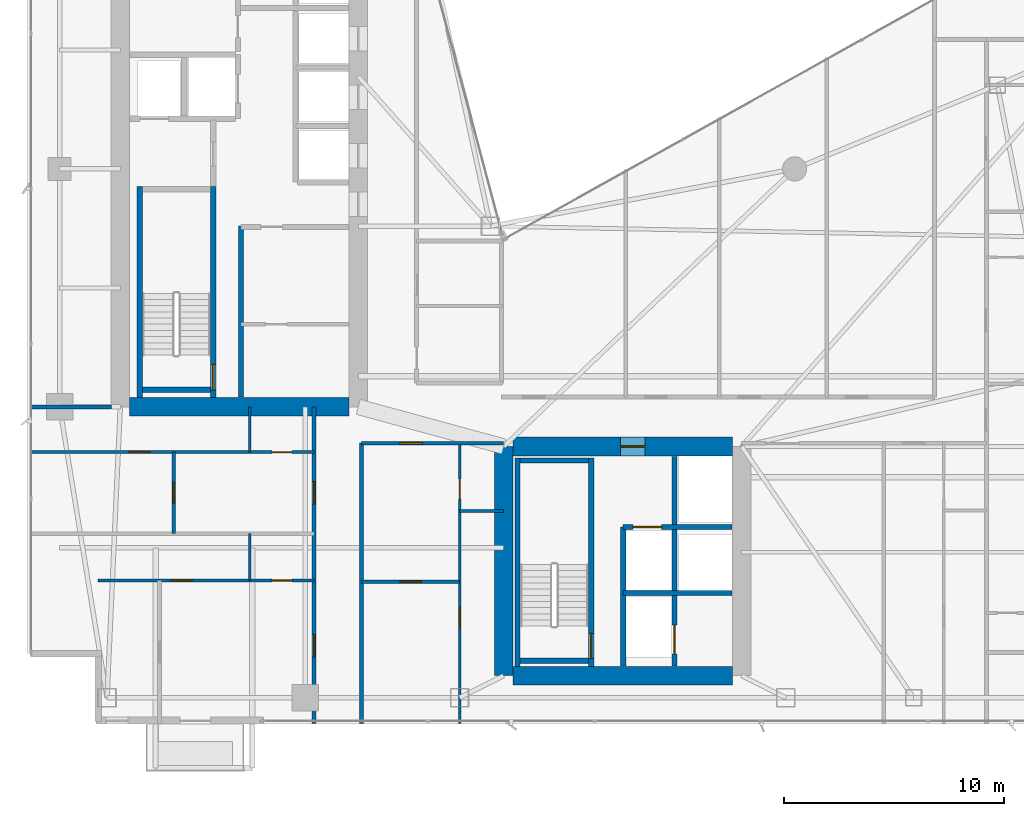
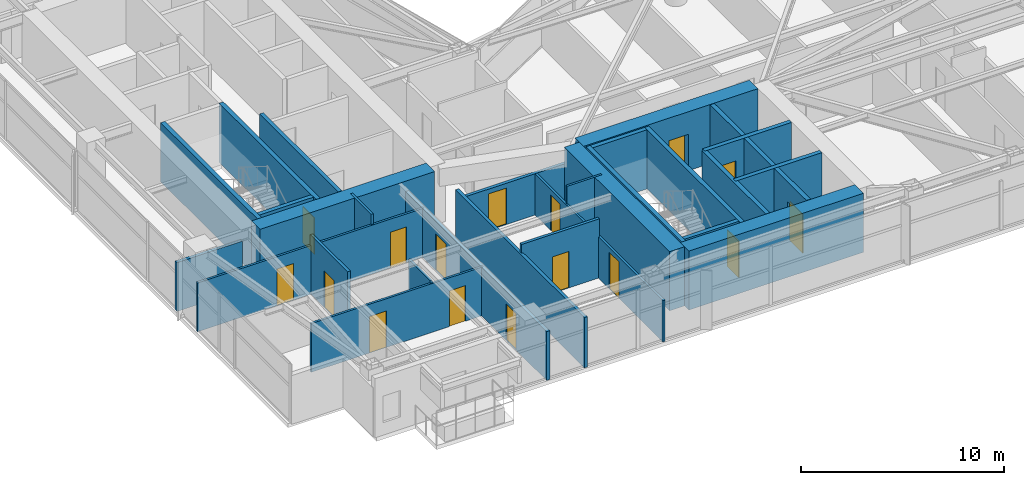
# One storey, part 22 of 29: 28 walls, 16 doors, 16 openings.
"""IFC4 building model written with IfcOpenShell, lengths in metres."""

from ifc_helpers import new_model, si_unit, direction, frame, frame_2d, origin, place, context, subcontext, project, spatial, rectangle, extrude, material, layer, layer_set, type_object, element, fill, save


model = new_model("IFC4")

# Units and contexts
model_context = context("Model", 3, precision=1e-05, world=origin(), true_north=direction((0.0, 1.0)))
body_context = subcontext(model_context, "Body", "Model", "MODEL_VIEW")
ifc_project = project(units=[si_unit("LENGTHUNIT", "METRE"), si_unit("AREAUNIT", "SQUARE_METRE"), si_unit("VOLUMEUNIT", "CUBIC_METRE"), si_unit("PLANEANGLEUNIT", "RADIAN"), si_unit("MASSUNIT", "GRAM", prefix="KILO")], contexts=[model_context])

# Site, building, storey
site_placement = place(None, origin())
site = spatial("IfcSite", under=ifc_project, at=site_placement, CompositionType="ELEMENT")
building_placement = place(site_placement, origin())
building = spatial("IfcBuilding", under=site, at=building_placement, Name="Calvorn Quay Hotel", CompositionType="ELEMENT")
storey_placement = place(building_placement, frame((0.0, 0.0, 148.5)))
storey = spatial("IfcBuildingStorey", under=building, at=storey_placement, Name="L36", CompositionType="ELEMENT", Elevation=148.5)

# Walls
ifc_material_1 = material(Name="Concrete C50", Category="concrete")
ifc_layer_1 = layer(ifc_material_1, 0.85009765625)
ifc_layer_set_1 = layer_set([ifc_layer_1], Name="WL-CORE-850")
wall_type_1 = type_object("IfcWallType", Name="WL-CORE-850", PredefinedType="SHEAR", material=ifc_layer_set_1)
wall_1_placement = place(storey_placement, frame((4.625, 16.800048828125, 0.0), z_axis=(0.0, 0.0, 1.0), x_axis=(1.0, 0.0, 0.0)))
element("IfcWall", 1, at=wall_1_placement, inside=storey, type_object=wall_type_1, Name="West Core Shear Wall S (L36)", PredefinedType="SHEAR", context=body_context, shape_type="SweptSolid", body=[
    extrude(rectangle(XDim=9.949951171875, YDim=0.85009765625, at=frame_2d((4.97509765625, 0.0))), origin(), (0.0, 0.0, 1.0), 3.56005859375),
])
wall_2_placement = place(storey_placement, frame((21.60009765625, 4.60009765625, 0.0), z_axis=(0.0, 0.0, 1.0), x_axis=(0.0, 1.0, 0.0)))
element("IfcWall", 2, at=wall_2_placement, inside=storey, type_object=wall_type_1, Name="East Core Shear Wall W (L36)", PredefinedType="SHEAR", context=body_context, shape_type="SweptSolid", body=[
    extrude(rectangle(XDim=10.39990234375, YDim=0.85009765625, at=frame_2d((5.199951171875, 0.0))), origin(), (0.0, 0.0, 1.0), 3.56005859375),
])

# Wall, opening, door
wall_3_placement = place(storey_placement, frame((22.02490234375, 15.0, 0.0), z_axis=(0.0, 0.0, 1.0), x_axis=(1.0, 0.0, 0.0)))
wall_3 = element("IfcWall", 3, at=wall_3_placement, inside=storey, type_object=wall_type_1, Name="East Core Shear Wall N (L36)", PredefinedType="SHEAR", context=body_context, shape_type="SweptSolid", body=[
    extrude(rectangle(XDim=9.9501953125, YDim=0.85009765625, at=frame_2d((4.97509765625, 0.0))), origin(), (0.0, 0.0, 1.0), 3.56005859375),
])
opening_1_placement = place(wall_3_placement, frame((4.8798828125, 0.0, 0.0)))
opening_1 = element("IfcOpeningElement", 4, at=opening_1_placement, cuts=wall_3, Name="Opening D-L36-FLE", PredefinedType="OPENING", context=body_context, shape_type="SweptSolid", body=[
    extrude(rectangle(XDim=1.10009765625, YDim=2.199951171875, at=frame_2d((0.550048828125, 1.10009765625))), frame((0.0, 0.43505859375, 0.0), z_axis=(0.0, -1.0, 0.0), x_axis=(1.0, 0.0, 0.0)), (0.0, 0.0, 1.0), 0.8701171875),
])
ifc_material_2 = material(Name="Smoke-Sealed Steel Class A Fire Door", Category="steel")
door_type_1 = type_object("IfcDoorType", Name="DR-FFLOBBY-1100", OperationType="NOTDEFINED", PredefinedType="DOOR", material=ifc_material_2)
door_1_placement = place(opening_1_placement, origin())
door_1 = element("IfcDoor", 5, at=door_1_placement, inside=storey, type_object=door_type_1, Name="East Firefighting Lobby Fire Door (L36)", OperationType="SINGLE_SWING_RIGHT", OverallHeight=2.199951171875, OverallWidth=1.10009765625, PredefinedType="DOOR", context=body_context, shape_type="SweptSolid", body=[
    extrude(rectangle(XDim=1.10009765625, YDim=2.199951171875, at=frame_2d((0.550048828125, 1.10009765625))), frame((0.0, 0.02490234375, 0.0), z_axis=(0.0, -1.0, 0.0), x_axis=(1.0, 0.0, 0.0)), (0.0, 0.0, 1.0), 0.050048828125),
])
fill(opening_1, door_1)

# Walls
wall_4_placement = place(storey_placement, frame((22.02490234375, 4.60009765625, 0.0), z_axis=(0.0, 0.0, 1.0), x_axis=(1.0, 0.0, 0.0)))
element("IfcWall", 6, at=wall_4_placement, inside=storey, type_object=wall_type_1, Name="East Core Shear Wall S (L36)", PredefinedType="SHEAR", context=body_context, shape_type="SweptSolid", body=[
    extrude(rectangle(XDim=9.9501953125, YDim=0.85009765625, at=frame_2d((4.97509765625, 0.0))), origin(), (0.0, 0.0, 1.0), 3.56005859375),
])
ifc_material_3 = material(Name="Acoustic Fireboard Steel-Stud Partition", Category="steel")
ifc_layer_2 = layer(ifc_material_3, 0.179931640625)
ifc_layer_set_2 = layer_set([ifc_layer_2], Name="WL-CORR-FIRE-180")
wall_type_2 = type_object("IfcWallType", Name="WL-CORR-FIRE-180", PredefinedType="PARTITIONING", material=ifc_layer_set_2)
wall_5_placement = place(storey_placement, frame((0.080078125, 16.800048828125, 0.0), z_axis=(0.0, 0.0, 1.0), x_axis=(1.0, 0.0, 0.0)))
element("IfcWall", 7, at=wall_5_placement, inside=storey, type_object=wall_type_2, Name="Partition Wall L36-WL-WBAY-S-WALL", PredefinedType="PARTITIONING", context=body_context, shape_type="SweptSolid", body=[
    extrude(rectangle(XDim=3.724853515625, YDim=0.179931640625, at=frame_2d((1.8623046875, 0.0))), origin(), (0.0, 0.0, 1.0), 2.93994140625),
])

# Wall, openings, doors
wall_6_placement = place(storey_placement, frame((13.0, 2.43994140625, 0.0), z_axis=(0.0, 0.0, 1.0), x_axis=(0.0, 1.0, 0.0)))
wall_6 = element("IfcWall", 8, at=wall_6_placement, inside=storey, type_object=wall_type_2, Name="Partition Wall L36-WL-CORR-SW-LEG-W", PredefinedType="PARTITIONING", context=body_context, shape_type="SweptSolid", body=[
    extrude(rectangle(XDim=14.360107421875, YDim=0.179931640625, at=frame_2d((7.18017578125, 0.0))), origin(), (0.0, 0.0, 1.0), 2.93994140625),
])
opening_2_placement = place(wall_6_placement, frame((3.010009765625, 0.0, 0.0)))
opening_2 = element("IfcOpeningElement", 9, at=opening_2_placement, cuts=wall_6, Name="Opening D-L36-U01", PredefinedType="OPENING", context=body_context, shape_type="SweptSolid", body=[
    extrude(rectangle(XDim=1.02001953125, YDim=2.199951171875, at=frame_2d((0.510009765625, 1.10009765625))), frame((0.0, 0.099853515625, 0.0), z_axis=(0.0, -1.0, 0.0), x_axis=(1.0, 0.0, 0.0)), (0.0, 0.0, 1.0), 0.199951171875),
])
opening_3_placement = place(wall_6_placement, frame((9.949951171875, 0.0, 0.0)))
opening_3 = element("IfcOpeningElement", 10, at=opening_3_placement, cuts=wall_6, Name="Opening D-L36-U02", PredefinedType="OPENING", context=body_context, shape_type="SweptSolid", body=[
    extrude(rectangle(XDim=1.02001953125, YDim=2.199951171875, at=frame_2d((0.510009765625, 1.10009765625))), frame((0.0, 0.099853515625, 0.0), z_axis=(0.0, -1.0, 0.0), x_axis=(1.0, 0.0, 0.0)), (0.0, 0.0, 1.0), 0.199951171875),
])
ifc_material_4 = material(Name="Solid-Core Walnut Veneer Hotel Fire Door")
door_type_2 = type_object("IfcDoorType", Name="DR-GUEST-ENTRY-1020", OperationType="NOTDEFINED", PredefinedType="DOOR", material=ifc_material_4)
door_2_placement = place(opening_2_placement, origin())
door_2 = element("IfcDoor", 11, at=door_2_placement, inside=storey, type_object=door_type_2, Name="South-West Unit Door U01 (L36)", OperationType="SINGLE_SWING_LEFT", OverallHeight=2.199951171875, OverallWidth=1.02001953125, PredefinedType="DOOR", context=body_context, shape_type="SweptSolid", body=[
    extrude(rectangle(XDim=1.02001953125, YDim=2.199951171875, at=frame_2d((0.510009765625, 1.10009765625))), frame((0.0, 0.02490234375, 0.0), z_axis=(0.0, -1.0, 0.0), x_axis=(1.0, 0.0, 0.0)), (0.0, 0.0, 1.0), 0.050048828125),
])
fill(opening_2, door_2)
door_3_placement = place(opening_3_placement, origin())
door_3 = element("IfcDoor", 12, at=door_3_placement, inside=storey, type_object=door_type_2, Name="South-West Unit Door U02 (L36)", OperationType="SINGLE_SWING_RIGHT", OverallHeight=2.199951171875, OverallWidth=1.02001953125, PredefinedType="DOOR", context=body_context, shape_type="SweptSolid", body=[
    extrude(rectangle(XDim=1.02001953125, YDim=2.199951171875, at=frame_2d((0.510009765625, 1.10009765625))), frame((0.0, 0.02490234375, 0.0), z_axis=(0.0, -1.0, 0.0), x_axis=(1.0, 0.0, 0.0)), (0.0, 0.0, 1.0), 0.050048828125),
])
fill(opening_3, door_3)

# Wall
wall_7_placement = place(storey_placement, frame((15.14990234375, 2.43994140625, 0.0), z_axis=(0.0, 0.0, 1.0), x_axis=(0.0, 1.0, 0.0)))
element("IfcWall", 13, at=wall_7_placement, inside=storey, type_object=wall_type_2, Name="Partition Wall L36-WL-CORR-SW-W", PredefinedType="PARTITIONING", context=body_context, shape_type="SweptSolid", body=[
    extrude(rectangle(XDim=12.7099609375, YDim=0.179931640625, at=frame_2d((6.35498046875, 0.0))), origin(), (0.0, 0.0, 1.0), 3.0400390625),
])

# Wall, opening, door
wall_8_placement = place(storey_placement, frame((15.14990234375, 15.14990234375, 0.0), z_axis=(0.0, 0.0, 1.0), x_axis=(1.0, 0.0, 0.0)))
wall_8 = element("IfcWall", 14, at=wall_8_placement, inside=storey, type_object=wall_type_2, Name="Partition Wall L36-WL-SC-CORR-S", PredefinedType="PARTITIONING", context=body_context, shape_type="SweptSolid", body=[
    extrude(rectangle(XDim=6.4501953125, YDim=0.179931640625, at=frame_2d((3.22509765625, 0.0))), origin(), (0.0, 0.0, 1.0), 2.489990234375),
])
opening_4_placement = place(wall_8_placement, frame((1.739990234375, 0.0, 0.0)))
opening_4 = element("IfcOpeningElement", 15, at=opening_4_placement, cuts=wall_8, Name="Opening D-L36-U03", PredefinedType="OPENING", context=body_context, shape_type="SweptSolid", body=[
    extrude(rectangle(XDim=1.02001953125, YDim=2.199951171875, at=frame_2d((0.510009765625, 1.10009765625))), frame((0.0, 0.099853515625, 0.0), z_axis=(0.0, -1.0, 0.0), x_axis=(1.0, 0.0, 0.0)), (0.0, 0.0, 1.0), 0.199951171875),
])
door_4_placement = place(opening_4_placement, origin())
door_4 = element("IfcDoor", 16, at=door_4_placement, inside=storey, type_object=door_type_2, Name="Harbour Central Unit Door (L36)", OperationType="SINGLE_SWING_LEFT", OverallHeight=2.199951171875, OverallWidth=1.02001953125, PredefinedType="DOOR", context=body_context, shape_type="SweptSolid", body=[
    extrude(rectangle(XDim=1.02001953125, YDim=2.199951171875, at=frame_2d((0.510009765625, 1.10009765625))), frame((0.0, 0.02490234375, 0.0), z_axis=(0.0, -1.0, 0.0), x_axis=(1.0, 0.0, 0.0)), (0.0, 0.0, 1.0), 0.050048828125),
])
fill(opening_4, door_4)

# Wall
ifc_material_5 = material(Name="Moisture-Resistant Tile-Backed Partition")
ifc_layer_3 = layer(ifc_material_5, 0.125)
ifc_layer_set_3 = layer_set([ifc_layer_3], Name="WL-ENSUITE-125")
wall_type_3 = type_object("IfcWallType", Name="WL-ENSUITE-125", PredefinedType="PARTITIONING", material=ifc_layer_set_3)
wall_9_placement = place(storey_placement, frame((10.080078125, 8.919921875, 0.0), z_axis=(0.0, 0.0, 1.0), x_axis=(0.0, 1.0, 0.0)))
element("IfcWall", 17, at=wall_9_placement, inside=storey, type_object=wall_type_3, Name="Partition Wall L36-WL-U01-BDV", PredefinedType="PARTITIONING", context=body_context, shape_type="SweptSolid", body=[
    extrude(rectangle(XDim=2.130126953125, YDim=0.125, at=frame_2d((1.06494140625, 0.0))), origin(), (0.0, 0.0, 1.0), 3.090087890625),
])

# Wall, openings, doors
wall_10_placement = place(storey_placement, frame((3.199951171875, 8.919921875, 0.0), z_axis=(0.0, 0.0, 1.0), x_axis=(1.0, 0.0, 0.0)))
wall_10 = element("IfcWall", 18, at=wall_10_placement, inside=storey, type_object=wall_type_3, Name="Partition Wall L36-WL-U01-BH", PredefinedType="PARTITIONING", context=body_context, shape_type="SweptSolid", body=[
    extrude(rectangle(XDim=9.800048828125, YDim=0.125, at=frame_2d((4.89990234375, 0.0))), origin(), (0.0, 0.0, 1.0), 2.93994140625),
])
opening_5_placement = place(wall_10_placement, frame((3.320068359375, 0.0, 0.0)))
opening_5 = element("IfcOpeningElement", 19, at=opening_5_placement, cuts=wall_10, Name="Opening D-L36-S01", PredefinedType="OPENING", context=body_context, shape_type="SweptSolid", body=[
    extrude(rectangle(XDim=0.9599609375, YDim=2.199951171875, at=frame_2d((0.47998046875, 1.10009765625))), frame((0.0, 0.072509765625, 0.0), z_axis=(0.0, -1.0, 0.0), x_axis=(1.0, 0.0, 0.0)), (0.0, 0.0, 1.0), 0.14501953125),
])
opening_6_placement = place(wall_10_placement, frame((7.889892578125, 0.0, 0.0)))
opening_6 = element("IfcOpeningElement", 20, at=opening_6_placement, cuts=wall_10, Name="Opening D-L36-E01", PredefinedType="OPENING", context=body_context, shape_type="SweptSolid", body=[
    extrude(rectangle(XDim=0.89990234375, YDim=2.14990234375, at=frame_2d((0.449951171875, 1.074951171875))), frame((0.0, 0.072509765625, 0.0), z_axis=(0.0, -1.0, 0.0), x_axis=(1.0, 0.0, 0.0)), (0.0, 0.0, 1.0), 0.14501953125),
])
ifc_material_6 = material(Name="Moisture-Sealed Timber En-Suite Door", Category="wood")
door_type_3 = type_object("IfcDoorType", Name="DR-ENSUITE-900", OperationType="NOTDEFINED", PredefinedType="DOOR", material=ifc_material_6)
door_5_placement = place(opening_6_placement, origin())
door_5 = element("IfcDoor", 21, at=door_5_placement, inside=storey, type_object=door_type_3, Name="En-Suite Door 01", OperationType="SINGLE_SWING_RIGHT", OverallHeight=2.14990234375, OverallWidth=0.89990234375, PredefinedType="DOOR", context=body_context, shape_type="SweptSolid", body=[
    extrude(rectangle(XDim=0.89990234375, YDim=2.14990234375, at=frame_2d((0.449951171875, 1.074951171875))), frame((0.0, 0.02490234375, 0.0), z_axis=(0.0, -1.0, 0.0), x_axis=(1.0, 0.0, 0.0)), (0.0, 0.0, 1.0), 0.050048828125),
])
fill(opening_6, door_5)
ifc_material_7 = material(Name="Solid Timber Internal Suite Door", Category="wood")
door_type_4 = type_object("IfcDoorType", Name="DR-SUITE-INT-960", OperationType="NOTDEFINED", PredefinedType="DOOR", material=ifc_material_7)
door_6_placement = place(opening_5_placement, origin())
door_6 = element("IfcDoor", 22, at=door_6_placement, inside=storey, type_object=door_type_4, Name="Private Executive Study Door 01", OperationType="SINGLE_SWING_LEFT", OverallHeight=2.199951171875, OverallWidth=0.9599609375, PredefinedType="DOOR", context=body_context, shape_type="SweptSolid", body=[
    extrude(rectangle(XDim=0.9599609375, YDim=2.199951171875, at=frame_2d((0.47998046875, 1.10009765625))), frame((0.0, 0.02490234375, 0.0), z_axis=(0.0, -1.0, 0.0), x_axis=(1.0, 0.0, 0.0)), (0.0, 0.0, 1.0), 0.050048828125),
])
fill(opening_5, door_6)

# Wall
wall_11_placement = place(storey_placement, frame((10.080078125, 14.75, 0.0), z_axis=(0.0, 0.0, 1.0), x_axis=(0.0, 1.0, 0.0)))
element("IfcWall", 23, at=wall_11_placement, inside=storey, type_object=wall_type_3, Name="Partition Wall L36-WL-U02-BDV", PredefinedType="PARTITIONING", context=body_context, shape_type="SweptSolid", body=[
    extrude(rectangle(XDim=2.050048828125, YDim=0.125, at=frame_2d((1.02490234375, 0.0))), origin(), (0.0, 0.0, 1.0), 3.56005859375),
])

# Wall, openings, doors
wall_12_placement = place(storey_placement, frame((0.080078125, 14.75, 0.0), z_axis=(0.0, 0.0, 1.0), x_axis=(1.0, 0.0, 0.0)))
wall_12 = element("IfcWall", 24, at=wall_12_placement, inside=storey, type_object=wall_type_3, Name="Partition Wall L36-WL-U02-BH", PredefinedType="PARTITIONING", context=body_context, shape_type="SweptSolid", body=[
    extrude(rectangle(XDim=12.919921875, YDim=0.125, at=frame_2d((6.4599609375, 0.0))), origin(), (0.0, 0.0, 1.0), 2.93994140625),
])
opening_7_placement = place(wall_12_placement, frame((4.52001953125, 0.0, 0.0)))
opening_7 = element("IfcOpeningElement", 25, at=opening_7_placement, cuts=wall_12, Name="Opening D-L36-S02", PredefinedType="OPENING", context=body_context, shape_type="SweptSolid", body=[
    extrude(rectangle(XDim=0.9599609375, YDim=2.199951171875, at=frame_2d((0.47998046875, 1.10009765625))), frame((0.0, 0.072509765625, 0.0), z_axis=(0.0, -1.0, 0.0), x_axis=(1.0, 0.0, 0.0)), (0.0, 0.0, 1.0), 0.14501953125),
])
opening_8_placement = place(wall_12_placement, frame((11.010009765625, 0.0, 0.0)))
opening_8 = element("IfcOpeningElement", 26, at=opening_8_placement, cuts=wall_12, Name="Opening D-L36-E02", PredefinedType="OPENING", context=body_context, shape_type="SweptSolid", body=[
    extrude(rectangle(XDim=0.89990234375, YDim=2.14990234375, at=frame_2d((0.449951171875, 1.074951171875))), frame((0.0, 0.072509765625, 0.0), z_axis=(0.0, -1.0, 0.0), x_axis=(1.0, 0.0, 0.0)), (0.0, 0.0, 1.0), 0.14501953125),
])
door_7_placement = place(opening_8_placement, origin())
door_7 = element("IfcDoor", 27, at=door_7_placement, inside=storey, type_object=door_type_3, Name="En-Suite Door 02", OperationType="SINGLE_SWING_RIGHT", OverallHeight=2.14990234375, OverallWidth=0.89990234375, PredefinedType="DOOR", context=body_context, shape_type="SweptSolid", body=[
    extrude(rectangle(XDim=0.89990234375, YDim=2.14990234375, at=frame_2d((0.449951171875, 1.074951171875))), frame((0.0, 0.02490234375, 0.0), z_axis=(0.0, -1.0, 0.0), x_axis=(1.0, 0.0, 0.0)), (0.0, 0.0, 1.0), 0.050048828125),
])
fill(opening_8, door_7)
door_8_placement = place(opening_7_placement, origin())
door_8 = element("IfcDoor", 28, at=door_8_placement, inside=storey, type_object=door_type_4, Name="Private Executive Study Door 02", OperationType="SINGLE_SWING_LEFT", OverallHeight=2.199951171875, OverallWidth=0.9599609375, PredefinedType="DOOR", context=body_context, shape_type="SweptSolid", body=[
    extrude(rectangle(XDim=0.9599609375, YDim=2.199951171875, at=frame_2d((0.47998046875, 1.10009765625))), frame((0.0, 0.02490234375, 0.0), z_axis=(0.0, -1.0, 0.0), x_axis=(1.0, 0.0, 0.0)), (0.0, 0.0, 1.0), 0.050048828125),
])
fill(opening_7, door_8)

# Wall
wall_13_placement = place(storey_placement, frame((19.60009765625, 12.070068359375, 0.0), z_axis=(0.0, 0.0, 1.0), x_axis=(1.0, 0.0, 0.0)))
element("IfcWall", 29, at=wall_13_placement, inside=storey, type_object=wall_type_3, Name="Partition Wall L36-WL-U03-BDV", PredefinedType="PARTITIONING", context=body_context, shape_type="SweptSolid", body=[
    extrude(rectangle(XDim=2.0, YDim=0.125, at=frame_2d((1.0, 0.0))), origin(), (0.0, 0.0, 1.0), 3.56005859375),
])

# Wall, openings, doors
wall_14_placement = place(storey_placement, frame((19.60009765625, 2.43994140625, 0.0), z_axis=(0.0, 0.0, 1.0), x_axis=(0.0, 1.0, 0.0)))
wall_14 = element("IfcWall", 30, at=wall_14_placement, inside=storey, type_object=wall_type_3, Name="Partition Wall L36-WL-U03-BV", PredefinedType="PARTITIONING", context=body_context, shape_type="SweptSolid", body=[
    extrude(rectangle(XDim=12.7099609375, YDim=0.125, at=frame_2d((6.35498046875, 0.0))), origin(), (0.0, 0.0, 1.0), 2.489990234375),
])
opening_9_placement = place(wall_14_placement, frame((4.340087890625, 0.0, 0.0)))
opening_9 = element("IfcOpeningElement", 31, at=opening_9_placement, cuts=wall_14, Name="Opening D-L36-S03", PredefinedType="OPENING", context=body_context, shape_type="SweptSolid", body=[
    extrude(rectangle(XDim=0.9599609375, YDim=2.199951171875, at=frame_2d((0.47998046875, 1.10009765625))), frame((0.0, 0.072509765625, 0.0), z_axis=(0.0, -1.0, 0.0), x_axis=(1.0, 0.0, 0.0)), (0.0, 0.0, 1.0), 0.14501953125),
])
opening_10_placement = place(wall_14_placement, frame((10.179931640625, 0.0, 0.0)))
opening_10 = element("IfcOpeningElement", 32, at=opening_10_placement, cuts=wall_14, Name="Opening D-L36-E03", PredefinedType="OPENING", context=body_context, shape_type="SweptSolid", body=[
    extrude(rectangle(XDim=0.89990234375, YDim=2.14990234375, at=frame_2d((0.449951171875, 1.074951171875))), frame((0.0, 0.072509765625, 0.0), z_axis=(0.0, -1.0, 0.0), x_axis=(1.0, 0.0, 0.0)), (0.0, 0.0, 1.0), 0.14501953125),
])
door_9_placement = place(opening_10_placement, origin())
door_9 = element("IfcDoor", 33, at=door_9_placement, inside=storey, type_object=door_type_3, Name="En-Suite Door 03", OperationType="SINGLE_SWING_RIGHT", OverallHeight=2.14990234375, OverallWidth=0.89990234375, PredefinedType="DOOR", context=body_context, shape_type="SweptSolid", body=[
    extrude(rectangle(XDim=0.89990234375, YDim=2.14990234375, at=frame_2d((0.449951171875, 1.074951171875))), frame((0.0, 0.02490234375, 0.0), z_axis=(0.0, -1.0, 0.0), x_axis=(1.0, 0.0, 0.0)), (0.0, 0.0, 1.0), 0.050048828125),
])
fill(opening_10, door_9)
door_10_placement = place(opening_9_placement, origin())
door_10 = element("IfcDoor", 34, at=door_10_placement, inside=storey, type_object=door_type_4, Name="Private Executive Study Door 03", OperationType="SINGLE_SWING_LEFT", OverallHeight=2.199951171875, OverallWidth=0.9599609375, PredefinedType="DOOR", context=body_context, shape_type="SweptSolid", body=[
    extrude(rectangle(XDim=0.9599609375, YDim=2.199951171875, at=frame_2d((0.47998046875, 1.10009765625))), frame((0.0, 0.02490234375, 0.0), z_axis=(0.0, -1.0, 0.0), x_axis=(1.0, 0.0, 0.0)), (0.0, 0.0, 1.0), 0.050048828125),
])
fill(opening_9, door_10)

# Wall, opening, door
ifc_material_8 = material(Name="Double-Stud Acoustic Gypsum Partition")
ifc_layer_4 = layer(ifc_material_8, 0.159912109375)
ifc_layer_set_4 = layer_set([ifc_layer_4], Name="WL-INTERSUITE-160")
wall_type_4 = type_object("IfcWallType", Name="WL-INTERSUITE-160", PredefinedType="PARTITIONING", material=ifc_layer_set_4)
wall_15_placement = place(storey_placement, frame((6.6201171875, 11.050048828125, 0.0), z_axis=(0.0, 0.0, 1.0), x_axis=(0.0, 1.0, 0.0)))
wall_15 = element("IfcWall", 35, at=wall_15_placement, inside=storey, type_object=wall_type_4, Name="Partition Wall L36-WL-U02-MSP", PredefinedType="PARTITIONING", context=body_context, shape_type="SweptSolid", body=[
    extrude(rectangle(XDim=3.699951171875, YDim=0.159912109375, at=frame_2d((1.85009765625, 0.0))), origin(), (0.0, 0.0, 1.0), 3.56005859375),
])
opening_11_placement = place(wall_15_placement, frame((1.3701171875, 0.0, 0.0)))
opening_11 = element("IfcOpeningElement", 36, at=opening_11_placement, cuts=wall_15, Name="Opening D-L36-M02", PredefinedType="OPENING", context=body_context, shape_type="SweptSolid", body=[
    extrude(rectangle(XDim=0.9599609375, YDim=2.199951171875, at=frame_2d((0.47998046875, 1.10009765625))), frame((0.0, 0.08984375, 0.0), z_axis=(0.0, -1.0, 0.0), x_axis=(1.0, 0.0, 0.0)), (0.0, 0.0, 1.0), 0.179931640625),
])
door_11_placement = place(opening_11_placement, origin())
door_11 = element("IfcDoor", 37, at=door_11_placement, inside=storey, type_object=door_type_4, Name="Suite Bedroom Door 02", OperationType="SINGLE_SWING_LEFT", OverallHeight=2.199951171875, OverallWidth=0.9599609375, PredefinedType="DOOR", context=body_context, shape_type="SweptSolid", body=[
    extrude(rectangle(XDim=0.9599609375, YDim=2.199951171875, at=frame_2d((0.47998046875, 1.10009765625))), frame((0.0, 0.02490234375, 0.0), z_axis=(0.0, -1.0, 0.0), x_axis=(1.0, 0.0, 0.0)), (0.0, 0.0, 1.0), 0.050048828125),
])
fill(opening_11, door_11)

wall_16_placement = place(storey_placement, frame((15.14990234375, 8.8701171875, 0.0), z_axis=(0.0, 0.0, 1.0), x_axis=(1.0, 0.0, 0.0)))
wall_16 = element("IfcWall", 38, at=wall_16_placement, inside=storey, type_object=wall_type_4, Name="Partition Wall L36-WL-U03-MSP", PredefinedType="PARTITIONING", context=body_context, shape_type="SweptSolid", body=[
    extrude(rectangle(XDim=4.4501953125, YDim=0.159912109375, at=frame_2d((2.22509765625, 0.0))), origin(), (0.0, 0.0, 1.0), 3.56005859375),
])
opening_12_placement = place(wall_16_placement, frame((1.75, 0.0, 0.0)))
opening_12 = element("IfcOpeningElement", 39, at=opening_12_placement, cuts=wall_16, Name="Opening D-L36-M03", PredefinedType="OPENING", context=body_context, shape_type="SweptSolid", body=[
    extrude(rectangle(XDim=0.9599609375, YDim=2.199951171875, at=frame_2d((0.47998046875, 1.10009765625))), frame((0.0, 0.08984375, 0.0), z_axis=(0.0, -1.0, 0.0), x_axis=(1.0, 0.0, 0.0)), (0.0, 0.0, 1.0), 0.179931640625),
])
door_12_placement = place(opening_12_placement, origin())
door_12 = element("IfcDoor", 40, at=door_12_placement, inside=storey, type_object=door_type_4, Name="Suite Bedroom Door 03", OperationType="SINGLE_SWING_LEFT", OverallHeight=2.199951171875, OverallWidth=0.9599609375, PredefinedType="DOOR", context=body_context, shape_type="SweptSolid", body=[
    extrude(rectangle(XDim=0.9599609375, YDim=2.199951171875, at=frame_2d((0.47998046875, 1.10009765625))), frame((0.0, 0.02490234375, 0.0), z_axis=(0.0, -1.0, 0.0), x_axis=(1.0, 0.0, 0.0)), (0.0, 0.0, 1.0), 0.050048828125),
])
fill(opening_12, door_12)

# Walls
ifc_material_9 = material(Name="Autoclaved Aerated Masonry Block", Category="masonry")
ifc_layer_5 = layer(ifc_material_9, 0.219970703125)
ifc_layer_set_5 = layer_set([ifc_layer_5], Name="WL-LOBBY-FIRE-220")
wall_type_5 = type_object("IfcWallType", Name="WL-LOBBY-FIRE-220", PredefinedType="SOLIDWALL", material=ifc_layer_set_5)
wall_17_placement = place(storey_placement, frame((9.679931640625, 17.2451171875, 0.0), z_axis=(0.0, 0.0, 1.0), x_axis=(0.0, 1.0, 0.0)))
element("IfcWall", 41, at=wall_17_placement, inside=storey, type_object=wall_type_5, Name="Partition Wall L36-WL-CWW-STW-HALL-E", PredefinedType="SOLIDWALL", context=body_context, shape_type="SweptSolid", body=[
    extrude(rectangle(XDim=7.7548828125, YDim=0.219970703125, at=frame_2d((3.87744140625, 0.0))), origin(), (0.0, 0.0, 1.0), 3.56005859375),
])
ifc_material_10 = material(Name="Concrete C40", Category="concrete")
ifc_layer_6 = layer(ifc_material_10, 0.239990234375)
ifc_layer_set_6 = layer_set([ifc_layer_6], Name="WL-SHAFT-240")
wall_type_6 = type_object("IfcWallType", Name="WL-SHAFT-240", PredefinedType="SOLIDWALL", material=ifc_layer_set_6)
wall_18_placement = place(storey_placement, frame((5.080078125, 17.22509765625, 0.0), z_axis=(0.0, 0.0, 1.0), x_axis=(0.0, 1.0, 0.0)))
element("IfcWall", 42, at=wall_18_placement, inside=storey, type_object=wall_type_6, Name="Stair STW Shaft Wall W (L36)", PredefinedType="SOLIDWALL", context=body_context, shape_type="SweptSolid", body=[
    extrude(rectangle(XDim=9.56494140625, YDim=0.239990234375, at=frame_2d((4.782470703125, 0.0))), origin(), (0.0, 0.0, 1.0), 3.56005859375),
])

# Wall, opening, door
wall_19_placement = place(storey_placement, frame((8.419921875, 17.22509765625, 0.0), z_axis=(0.0, 0.0, 1.0), x_axis=(0.0, 1.0, 0.0)))
wall_19 = element("IfcWall", 43, at=wall_19_placement, inside=storey, type_object=wall_type_6, Name="Stair STW Shaft Wall E (L36)", PredefinedType="SOLIDWALL", context=body_context, shape_type="SweptSolid", body=[
    extrude(rectangle(XDim=9.56494140625, YDim=0.239990234375, at=frame_2d((4.782470703125, 0.0))), origin(), (0.0, 0.0, 1.0), 3.56005859375),
])
opening_13_placement = place(wall_19_placement, frame((0.35009765625, 0.0, 0.0)))
opening_13 = element("IfcOpeningElement", 44, at=opening_13_placement, cuts=wall_19, Name="Opening D-L36-STW", PredefinedType="OPENING", context=body_context, shape_type="SweptSolid", body=[
    extrude(rectangle(XDim=1.14990234375, YDim=2.199951171875, at=frame_2d((0.574951171875, 1.10009765625))), frame((0.0, 0.1298828125, 0.0), z_axis=(0.0, -1.0, 0.0), x_axis=(1.0, 0.0, 0.0)), (0.0, 0.0, 1.0), 0.260009765625),
])
ifc_material_11 = material(Name="Galvanised Steel Class A Fire Door", Category="steel")
door_type_5 = type_object("IfcDoorType", Name="DR-STAIR-SMOKE-1150", OperationType="NOTDEFINED", PredefinedType="DOOR", material=ifc_material_11)
door_13_placement = place(opening_13_placement, origin())
door_13 = element("IfcDoor", 45, at=door_13_placement, inside=storey, type_object=door_type_5, Name="Stair ST-W Fire Door (L36)", OperationType="SINGLE_SWING_LEFT", OverallHeight=2.199951171875, OverallWidth=1.14990234375, PredefinedType="DOOR", context=body_context, shape_type="SweptSolid", body=[
    extrude(rectangle(XDim=1.14990234375, YDim=2.199951171875, at=frame_2d((0.574951171875, 1.10009765625))), frame((0.0, 0.02490234375, 0.0), z_axis=(0.0, -1.0, 0.0), x_axis=(1.0, 0.0, 0.0)), (0.0, 0.0, 1.0), 0.050048828125),
])
fill(opening_13, door_13)

# Walls
wall_20_placement = place(storey_placement, frame((5.199951171875, 17.580078125, 0.0), z_axis=(0.0, 0.0, 1.0), x_axis=(1.0, 0.0, 0.0)))
element("IfcWall", 46, at=wall_20_placement, inside=storey, type_object=wall_type_6, Name="Stair STW Shaft Wall S (L36)", PredefinedType="SOLIDWALL", context=body_context, shape_type="SweptSolid", body=[
    extrude(rectangle(XDim=3.10009765625, YDim=0.239990234375, at=frame_2d((1.550048828125, 0.0))), origin(), (0.0, 0.0, 1.0), 3.56005859375),
])
wall_21_placement = place(storey_placement, frame((22.22998046875, 5.02490234375, 0.0), z_axis=(0.0, 0.0, 1.0), x_axis=(0.0, 1.0, 0.0)))
element("IfcWall", 47, at=wall_21_placement, inside=storey, type_object=wall_type_6, Name="Stair STE Shaft Wall W (L36)", PredefinedType="SOLIDWALL", context=body_context, shape_type="SweptSolid", body=[
    extrude(rectangle(XDim=9.465087890625, YDim=0.239990234375, at=frame_2d((4.732421875, 0.0))), origin(), (0.0, 0.0, 1.0), 3.56005859375),
])

# Wall, opening, door
wall_22_placement = place(storey_placement, frame((25.570068359375, 5.02490234375, 0.0), z_axis=(0.0, 0.0, 1.0), x_axis=(0.0, 1.0, 0.0)))
wall_22 = element("IfcWall", 48, at=wall_22_placement, inside=storey, type_object=wall_type_6, Name="Stair STE Shaft Wall E (L36)", PredefinedType="SOLIDWALL", context=body_context, shape_type="SweptSolid", body=[
    extrude(rectangle(XDim=9.465087890625, YDim=0.239990234375, at=frame_2d((4.732421875, 0.0))), origin(), (0.0, 0.0, 1.0), 3.56005859375),
])
opening_14_placement = place(wall_22_placement, frame((0.35009765625, 0.0, 0.0)))
opening_14 = element("IfcOpeningElement", 49, at=opening_14_placement, cuts=wall_22, Name="Opening D-L36-STE", PredefinedType="OPENING", context=body_context, shape_type="SweptSolid", body=[
    extrude(rectangle(XDim=1.14990234375, YDim=2.199951171875, at=frame_2d((0.574951171875, 1.10009765625))), frame((0.0, 0.1298828125, 0.0), z_axis=(0.0, -1.0, 0.0), x_axis=(1.0, 0.0, 0.0)), (0.0, 0.0, 1.0), 0.260009765625),
])
door_14_placement = place(opening_14_placement, origin())
door_14 = element("IfcDoor", 50, at=door_14_placement, inside=storey, type_object=door_type_5, Name="Stair ST-E Fire Door (L36)", OperationType="SINGLE_SWING_RIGHT", OverallHeight=2.199951171875, OverallWidth=1.14990234375, PredefinedType="DOOR", context=body_context, shape_type="SweptSolid", body=[
    extrude(rectangle(XDim=1.14990234375, YDim=2.199951171875, at=frame_2d((0.574951171875, 1.10009765625))), frame((0.0, 0.02490234375, 0.0), z_axis=(0.0, -1.0, 0.0), x_axis=(1.0, 0.0, 0.0)), (0.0, 0.0, 1.0), 0.050048828125),
])
fill(opening_14, door_14)

# Walls
for number, where, z_axis, x_axis, name in (
    (51, (22.35009765625, 5.280029296875, 0.0), (0.0, 0.0, 1.0), (1.0, 0.0, 0.0), "Stair STE Shaft Wall S (L36)"),
    (52, (22.35009765625, 14.3701171875, 0.0), (0.0, 0.0, 1.0), (1.0, 0.0, 0.0), "Stair STE Shaft Wall N (L36)"),
):
    element("IfcWall", number, at=place(storey_placement, frame(where, z_axis=z_axis, x_axis=x_axis)), inside=storey, type_object=wall_type_6, Name=name, PredefinedType="SOLIDWALL", context=body_context, shape_type="SweptSolid", body=[
        extrude(rectangle(XDim=3.099853515625, YDim=0.239990234375, at=frame_2d((1.5498046875, 0.0))), origin(), (0.0, 0.0, 1.0), 3.56005859375),
    ])
wall_23_placement = place(storey_placement, frame((27.02001953125, 5.044921875, 0.0), z_axis=(0.0, 0.0, 1.0), x_axis=(0.0, 1.0, 0.0)))
element("IfcWall", 53, at=wall_23_placement, inside=storey, type_object=wall_type_6, Name="Partition Wall L36-WL-CWE-SH-W", PredefinedType="SOLIDWALL", context=body_context, shape_type="SweptSolid", body=[
    extrude(rectangle(XDim=6.30517578125, YDim=0.239990234375, at=frame_2d((3.152587890625, 0.0))), origin(), (0.0, 0.0, 1.0), 3.56005859375),
])

# Wall, opening, door
wall_24_placement = place(storey_placement, frame((27.02001953125, 11.35009765625, 0.0), z_axis=(0.0, 0.0, 1.0), x_axis=(1.0, 0.0, 0.0)))
wall_24 = element("IfcWall", 54, at=wall_24_placement, inside=storey, type_object=wall_type_6, Name="Partition Wall L36-WL-CWE-FFL-S", PredefinedType="SOLIDWALL", context=body_context, shape_type="SweptSolid", body=[
    extrude(rectangle(XDim=4.93505859375, YDim=0.239990234375, at=frame_2d((2.467529296875, 0.0))), origin(), (0.0, 0.0, 1.0), 3.56005859375),
])
opening_15_placement = place(wall_24_placement, frame((0.449951171875, 0.0, 0.0)))
opening_15 = element("IfcOpeningElement", 55, at=opening_15_placement, cuts=wall_24, Name="Opening LD-L36-FLE1", PredefinedType="OPENING", context=body_context, shape_type="SweptSolid", body=[
    extrude(rectangle(XDim=1.300048828125, YDim=2.35009765625, at=frame_2d((0.64990234375, 1.175048828125))), frame((0.0, 0.1298828125, 0.0), z_axis=(0.0, -1.0, 0.0), x_axis=(1.0, 0.0, 0.0)), (0.0, 0.0, 1.0), 0.260009765625),
])
ifc_material_12 = material(Name="Champagne-Bronze Sliding Express Lift Landing Door")
door_type_6 = type_object("IfcDoorType", Name="DR-LIFT-SHUTTLE-1300", OperationType="NOTDEFINED", PredefinedType="DOOR", material=ifc_material_12)
door_15_placement = place(opening_15_placement, origin())
door_15 = element("IfcDoor", 56, at=door_15_placement, inside=storey, type_object=door_type_6, Name="Firefighting Lift FL-E1 Landing Door (L36)", OperationType="DOUBLE_DOOR_SLIDING", OverallHeight=2.35009765625, OverallWidth=1.300048828125, PredefinedType="DOOR", context=body_context, shape_type="SweptSolid", body=[
    extrude(rectangle(XDim=1.300048828125, YDim=2.35009765625, at=frame_2d((0.64990234375, 1.175048828125))), frame((0.0, 0.02490234375, 0.0), z_axis=(0.0, -1.0, 0.0), x_axis=(1.0, 0.0, 0.0)), (0.0, 0.0, 1.0), 0.050048828125),
])
fill(opening_15, door_15)

# Wall
wall_25_placement = place(storey_placement, frame((27.02001953125, 8.35009765625, 0.0), z_axis=(0.0, 0.0, 1.0), x_axis=(1.0, 0.0, 0.0)))
element("IfcWall", 57, at=wall_25_placement, inside=storey, type_object=wall_type_6, Name="Partition Wall L36-WL-CWE-SL-N", PredefinedType="SOLIDWALL", context=body_context, shape_type="SweptSolid", body=[
    extrude(rectangle(XDim=4.93505859375, YDim=0.239990234375, at=frame_2d((2.467529296875, 0.0))), origin(), (0.0, 0.0, 1.0), 3.56005859375),
])

# Wall, opening, door
wall_26_placement = place(storey_placement, frame((29.35009765625, 5.044921875, 0.0), z_axis=(0.0, 0.0, 1.0), x_axis=(0.0, 1.0, 0.0)))
wall_26 = element("IfcWall", 58, at=wall_26_placement, inside=storey, type_object=wall_type_6, Name="Partition Wall L36-WL-CWE-OB-W", PredefinedType="SOLIDWALL", context=body_context, shape_type="SweptSolid", body=[
    extrude(rectangle(XDim=9.510009765625, YDim=0.239990234375, at=frame_2d((4.7548828125, 0.0))), origin(), (0.0, 0.0, 1.0), 3.56005859375),
])
opening_16_placement = place(wall_26_placement, frame((0.550048828125, 0.0, 0.0)))
opening_16 = element("IfcOpeningElement", 59, at=opening_16_placement, cuts=wall_26, Name="Opening LD-L36-SLEI", PredefinedType="OPENING", context=body_context, shape_type="SweptSolid", body=[
    extrude(rectangle(XDim=1.300048828125, YDim=2.35009765625, at=frame_2d((0.64990234375, 1.175048828125))), frame((0.0, 0.1298828125, 0.0), z_axis=(0.0, -1.0, 0.0), x_axis=(1.0, 0.0, 0.0)), (0.0, 0.0, 1.0), 0.260009765625),
])
door_16_placement = place(opening_16_placement, origin())
door_16 = element("IfcDoor", 60, at=door_16_placement, inside=storey, type_object=door_type_6, Name="Service Lift SL-E1 Landing Door (L36)", OperationType="DOUBLE_DOOR_SLIDING", OverallHeight=2.35009765625, OverallWidth=1.300048828125, PredefinedType="DOOR", context=body_context, shape_type="SweptSolid", body=[
    extrude(rectangle(XDim=1.300048828125, YDim=2.35009765625, at=frame_2d((0.64990234375, 1.175048828125))), frame((0.0, 0.02490234375, 0.0), z_axis=(0.0, -1.0, 0.0), x_axis=(1.0, 0.0, 0.0)), (0.0, 0.0, 1.0), 0.050048828125),
])
fill(opening_16, door_16)

save(model, "model.ifc")
